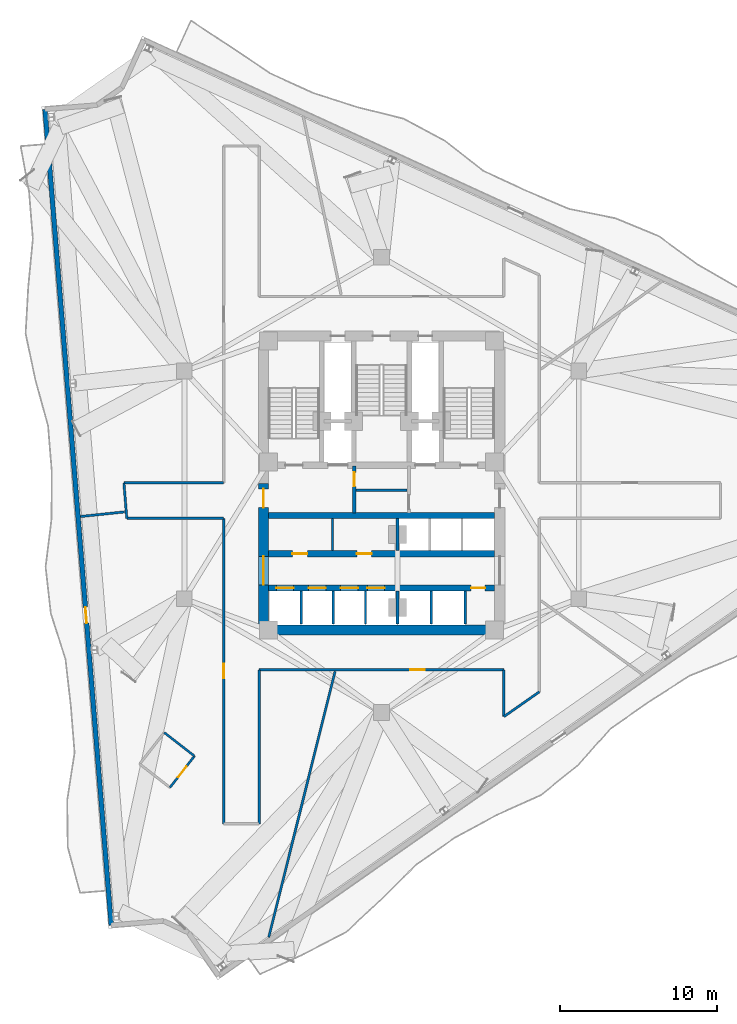
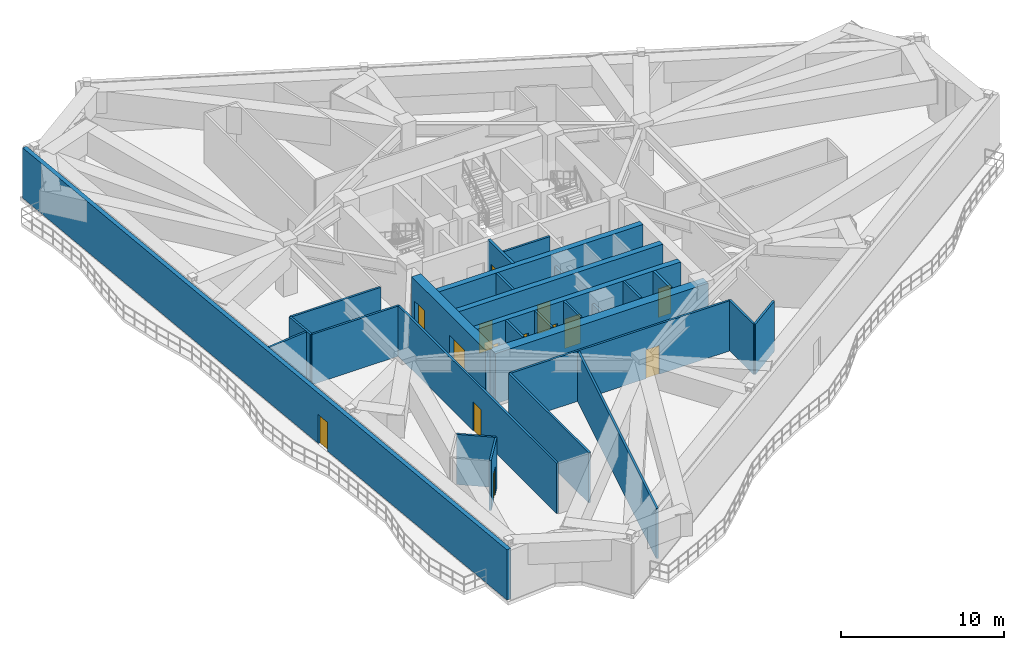
# One storey, part 8 of 14: 28 walls, 14 doors, 14 openings.
"""IFC4 building model written with IfcOpenShell, lengths in metres."""

from ifc_helpers import new_model, si_unit, direction, frame, frame_2d, origin, place, context, subcontext, project, spatial, rectangle, extrude, material, layer, layer_set, type_object, element, fill, save


model = new_model("IFC4")

# Units and contexts
model_context = context("Model", 3, precision=1e-05, world=origin(), true_north=direction((0.0, 1.0)))
body_context = subcontext(model_context, "Body", "Model", "MODEL_VIEW")
ifc_project = project(units=[si_unit("LENGTHUNIT", "METRE"), si_unit("AREAUNIT", "SQUARE_METRE"), si_unit("VOLUMEUNIT", "CUBIC_METRE"), si_unit("PLANEANGLEUNIT", "RADIAN"), si_unit("MASSUNIT", "GRAM", prefix="KILO")], contexts=[model_context])

# Site, building, storey
site_placement = place(None, origin())
site = spatial("IfcSite", under=ifc_project, at=site_placement, CompositionType="ELEMENT")
building_placement = place(site_placement, origin())
building = spatial("IfcBuilding", under=site, at=building_placement, Name="Apsidion Concourse Tower", CompositionType="ELEMENT")
storey_placement = place(building_placement, frame((0.0, 0.0, 222.89990234375)))
storey = spatial("IfcBuildingStorey", under=building, at=storey_placement, Name="L52", CompositionType="ELEMENT", Elevation=222.89990234375)

# Wall, opening, door
ifc_material_1 = material(Name="Precast concrete C40/50", Category="concrete")
ifc_layer_1 = layer(ifc_material_1, 0.300048828125)
ifc_layer_set_1 = layer_set([ifc_layer_1], Name="Precast concrete C40/50")
wall_type_1 = type_object("IfcWallType", Name="WL-EXT-300", PredefinedType="STANDARD", material=ifc_layer_set_1)
wall_1_placement = place(storey_placement, frame((-17.2158203125, -28.039794921875, 0.0), z_axis=(0.0, 0.0, 1.0), x_axis=(-0.080930933538, 0.996719711853, 0.0)))
wall_1 = element("IfcWall", 1, at=wall_1_placement, inside=storey, type_object=wall_type_1, Name="L52 Precast Stone Facade Wall 09", PredefinedType="STANDARD", context=body_context, shape_type="SweptSolid", body=[
    extrude(rectangle(XDim=52.127685546875, YDim=0.300048828125, at=frame_2d((26.06396484375, 0.0))), origin(), (0.0, 0.0, 1.0), 3.75),
])
opening_1_placement = place(wall_1_placement, frame((19.30859375, 0.0, 0.0)))
opening_1 = element("IfcOpeningElement", 2, at=opening_1_placement, cuts=wall_1, Name="Opening D-T1L", PredefinedType="OPENING", context=body_context, shape_type="SweptSolid", body=[
    extrude(rectangle(XDim=1.0, YDim=2.14990234375, at=frame_2d((0.5, 1.074951171875))), frame((0.0, 0.16015625, 0.0), z_axis=(0.0, -1.0, 0.0), x_axis=(1.0, 0.0, 0.0)), (0.0, 0.0, 1.0), 0.320068359375),
])
ifc_material_2 = material(Name="Anodised aluminium EN AW-6063 T6", Category="aluminium")
door_type_1 = type_object("IfcDoorType", Name="DR-TER-1022L", OperationType="SINGLE_SWING_LEFT", PredefinedType="DOOR", material=ifc_material_2)
door_1_placement = place(opening_1_placement, origin())
door_1 = element("IfcDoor", 3, at=door_1_placement, inside=storey, type_object=door_type_1, Name="L52 Balcony Access Door 1", OperationType="SINGLE_SWING_LEFT", OverallHeight=2.14990234375, OverallWidth=1.0, PredefinedType="DOOR", context=body_context, shape_type="SweptSolid", body=[
    extrude(rectangle(XDim=1.0, YDim=2.14990234375, at=frame_2d((0.5, 1.074951171875))), frame((0.0, 0.02490234375, 0.0), z_axis=(0.0, -1.0, 0.0), x_axis=(1.0, 0.0, 0.0)), (0.0, 0.0, 1.0), 0.050048828125),
])
fill(opening_1, door_1)

ifc_material_3 = material(Name="Gypsum plasterboard partition")
ifc_layer_2 = layer(ifc_material_3, 0.139892578125)
ifc_layer_set_2 = layer_set([ifc_layer_2], Name="Gypsum plasterboard partition")
wall_type_2 = type_object("IfcWallType", Name="WL-INT-PAR-140", PredefinedType="PARTITIONING", material=ifc_layer_set_2)
wall_2_placement = place(storey_placement, frame((-13.4755859375, -19.274169921875, 0.0), z_axis=(0.0, 0.0, 1.0), x_axis=(0.614266610483, 0.789098556104, 0.0)))
wall_2 = element("IfcWall", 4, at=wall_2_placement, inside=storey, type_object=wall_type_2, Name="L52 Interior Partition WL-L52-POD-OFAWC-S3", PredefinedType="PARTITIONING", context=body_context, shape_type="SweptSolid", body=[
    extrude(rectangle(XDim=2.5400390625, YDim=0.139892578125, at=frame_2d((1.27001953125, 0.0))), origin(), (0.0, 0.0, 1.0), 3.75),
])
opening_2_placement = place(wall_2_placement, frame((0.830078125, 0.0, 0.0)))
opening_2 = element("IfcOpeningElement", 5, at=opening_2_placement, cuts=wall_2, Name="Opening D-03R", PredefinedType="OPENING", context=body_context, shape_type="SweptSolid", body=[
    extrude(rectangle(XDim=0.8798828125, YDim=2.10009765625, at=frame_2d((0.43994140625, 1.050048828125))), frame((0.0, 0.080078125, 0.0), z_axis=(0.0, -1.0, 0.0), x_axis=(1.0, 0.0, 0.0)), (0.0, 0.0, 1.0), 0.159912109375),
])
door_type_2 = type_object("IfcDoorType", Name="DR-INT-D03R", OperationType="SINGLE_SWING_RIGHT", PredefinedType="DOOR", material=ifc_material_2)
door_2_placement = place(opening_2_placement, origin())
door_2 = element("IfcDoor", 6, at=door_2_placement, inside=storey, type_object=door_type_2, Name="L52 Office Accessible WC Door OFAWC", OperationType="SINGLE_SWING_RIGHT", OverallHeight=2.10009765625, OverallWidth=0.8798828125, PredefinedType="DOOR", context=body_context, shape_type="SweptSolid", body=[
    extrude(rectangle(XDim=0.8798828125, YDim=2.10009765625, at=frame_2d((0.43994140625, 1.050048828125))), frame((0.0, 0.02490234375, 0.0), z_axis=(0.0, -1.0, 0.0), x_axis=(1.0, 0.0, 0.0)), (0.0, 0.0, 1.0), 0.050048828125),
])
fill(opening_2, door_2)

# Walls
wall_3_placement = place(storey_placement, frame((-11.915283203125, -17.269775390625, 0.0), z_axis=(0.0, 0.0, 1.0), x_axis=(-0.789125887798, 0.614231498059, 0.0)))
element("IfcWall", 7, at=wall_3_placement, inside=storey, type_object=wall_type_2, Name="L52 Interior Partition WL-L52-POD-OFAWC-S4", PredefinedType="PARTITIONING", context=body_context, shape_type="SweptSolid", body=[
    extrude(rectangle(XDim=2.440185546875, YDim=0.139892578125, at=frame_2d((1.22021484375, 0.0))), origin(), (0.0, 0.0, 1.0), 3.75),
])
ifc_layer_3 = layer(ifc_material_3, 0.14990234375)
ifc_layer_set_3 = layer_set([ifc_layer_3], Name="Gypsum plasterboard partition")
wall_type_3 = type_object("IfcWallType", Name="WL-INT-PAR-150", PredefinedType="PARTITIONING", material=ifc_layer_set_3)
wall_4_placement = place(storey_placement, frame((-3.1201171875, -4.179931640625, 0.0), z_axis=(0.0, 0.0, 1.0), x_axis=(0.0, 1.0, 0.0)))
element("IfcWall", 8, at=wall_4_placement, inside=storey, type_object=wall_type_3, Name="L52 Interior Partition WL-L52-B1RV1", PredefinedType="PARTITIONING", context=body_context, shape_type="SweptSolid", body=[
    extrude(rectangle(XDim=2.030029296875, YDim=0.14990234375, at=frame_2d((1.01513671875, 0.0))), origin(), (0.0, 0.0, 1.0), 3.75),
])
for number, where, z_axis, x_axis, name in (
    (9, (-5.125, -8.85009765625, 0.0), (0.0, 0.0, 1.0), (0.0, 1.0, 0.0), "L52 Interior Partition WL-L52-B2DIV-1"),
    (10, (-3.074951171875, -8.85009765625, 0.0), (0.0, 0.0, 1.0), (0.0, 1.0, 0.0), "L52 Interior Partition WL-L52-B2DIV-2"),
    (11, (-1.02490234375, -8.85009765625, 0.0), (0.0, 0.0, 1.0), (0.0, 1.0, 0.0), "L52 Interior Partition WL-L52-B2DIV-3"),
    (12, (3.175048828125, -8.85009765625, 0.0), (0.0, 0.0, 1.0), (0.0, 1.0, 0.0), "L52 Interior Partition WL-L52-SHDIV-1"),
):
    element("IfcWall", number, at=place(storey_placement, frame(where, z_axis=z_axis, x_axis=x_axis)), inside=storey, type_object=wall_type_3, Name=name, PredefinedType="PARTITIONING", context=body_context, shape_type="SweptSolid", body=[
        extrude(rectangle(XDim=2.080078125, YDim=0.14990234375, at=frame_2d((1.0400390625, 0.0))), origin(), (0.0, 0.0, 1.0), 3.75),
    ])
wall_5_placement = place(storey_placement, frame((-1.6298828125, -0.35009765625, 0.0), z_axis=(0.0, 0.0, 1.0), x_axis=(1.0, 0.0, 0.0)))
element("IfcWall", 13, at=wall_5_placement, inside=storey, type_object=wall_type_3, Name="L52 Interior Partition WL-L52-K2H", PredefinedType="PARTITIONING", context=body_context, shape_type="SweptSolid", body=[
    extrude(rectangle(XDim=3.259765625, YDim=0.14990234375, at=frame_2d((1.6298828125, 0.0))), origin(), (0.0, 0.0, 1.0), 3.75),
])
wall_6_placement = place(storey_placement, frame((10.050048828125, -13.177490234375, 0.0), z_axis=(0.0, 0.0, 1.0), x_axis=(-0.819144609591, -0.573587054053, 0.0)))
element("IfcWall", 14, at=wall_6_placement, inside=storey, type_object=wall_type_3, Name="L52 Interior Partition WL-L52-CORR-01", PredefinedType="PARTITIONING", context=body_context, shape_type="SweptSolid", body=[
    extrude(rectangle(XDim=2.759033203125, YDim=0.14990234375, at=frame_2d((1.37939453125, 0.0))), origin(), (0.0, 0.0, 1.0), 3.75),
])
wall_7_placement = place(storey_placement, frame((7.7900390625, -14.760009765625, 0.0), z_axis=(0.0, 0.0, 1.0), x_axis=(0.0, 1.0, 0.0)))
element("IfcWall", 15, at=wall_7_placement, inside=storey, type_object=wall_type_3, Name="L52 Interior Partition WL-L52-CORR-02", PredefinedType="PARTITIONING", context=body_context, shape_type="SweptSolid", body=[
    extrude(rectangle(XDim=2.985107421875, YDim=0.14990234375, at=frame_2d((1.49267578125, 0.0))), origin(), (0.0, 0.0, 1.0), 3.75),
])

# Wall, opening, door
wall_8_placement = place(storey_placement, frame((7.7900390625, -11.77490234375, 0.0), z_axis=(0.0, 0.0, 1.0), x_axis=(-1.0, 0.0, 0.0)))
wall_8 = element("IfcWall", 16, at=wall_8_placement, inside=storey, type_object=wall_type_3, Name="L52 Interior Partition WL-L52-CORR-03", PredefinedType="PARTITIONING", context=body_context, shape_type="SweptSolid", body=[
    extrude(rectangle(XDim=15.580078125, YDim=0.14990234375, at=frame_2d((7.7900390625, 0.0))), origin(), (0.0, 0.0, 1.0), 3.75),
])
opening_3_placement = place(wall_8_placement, frame((5.024658203125, 0.0, 0.0)))
opening_3 = element("IfcOpeningElement", 17, at=opening_3_placement, cuts=wall_8, Name="Opening D-01R", PredefinedType="OPENING", context=body_context, shape_type="SweptSolid", body=[
    extrude(rectangle(XDim=0.949951171875, YDim=2.14990234375, at=frame_2d((0.47509765625, 1.074951171875))), frame((0.0, 0.0849609375, 0.0), z_axis=(0.0, -1.0, 0.0), x_axis=(1.0, 0.0, 0.0)), (0.0, 0.0, 1.0), 0.169921875),
])
ifc_material_4 = material(Name="Brushed stainless steel 316", Category="steel")
door_type_3 = type_object("IfcDoorType", Name="DR-INT-D01R", OperationType="SINGLE_SWING_RIGHT", PredefinedType="DOOR", material=ifc_material_4)
door_3_placement = place(opening_3_placement, origin())
door_3 = element("IfcDoor", 18, at=door_3_placement, inside=storey, type_object=door_type_3, Name="L52 Corridor Entry Door 02", OperationType="SINGLE_SWING_RIGHT", OverallHeight=2.14990234375, OverallWidth=0.949951171875, PredefinedType="DOOR", context=body_context, shape_type="SweptSolid", body=[
    extrude(rectangle(XDim=0.949951171875, YDim=2.14990234375, at=frame_2d((0.47509765625, 1.074951171875))), frame((0.0, 0.02490234375, 0.0), z_axis=(0.0, -1.0, 0.0), x_axis=(1.0, 0.0, 0.0)), (0.0, 0.0, 1.0), 0.050048828125),
])
fill(opening_3, door_3)

# Wall
wall_9_placement = place(storey_placement, frame((-7.7900390625, -11.77490234375, 0.0), z_axis=(0.0, 0.0, 1.0), x_axis=(0.0, -1.0, 0.0)))
element("IfcWall", 19, at=wall_9_placement, inside=storey, type_object=wall_type_3, Name="L52 Interior Partition WL-L52-CORR-04", PredefinedType="PARTITIONING", context=body_context, shape_type="SweptSolid", body=[
    extrude(rectangle(XDim=9.80517578125, YDim=0.14990234375, at=frame_2d((4.902587890625, 0.0))), origin(), (0.0, 0.0, 1.0), 3.75),
])

# Wall, opening, door
wall_10_placement = place(storey_placement, frame((-10.050048828125, -21.580078125, 0.0), z_axis=(0.0, 0.0, 1.0), x_axis=(0.0, 1.0, 0.0)))
wall_10 = element("IfcWall", 20, at=wall_10_placement, inside=storey, type_object=wall_type_3, Name="L52 Interior Partition WL-L52-CORR-06", PredefinedType="PARTITIONING", context=body_context, shape_type="SweptSolid", body=[
    extrude(rectangle(XDim=19.4501953125, YDim=0.14990234375, at=frame_2d((9.72509765625, 0.0))), origin(), (0.0, 0.0, 1.0), 3.75),
])
opening_4_placement = place(wall_10_placement, frame((9.25, 0.0, 0.0)))
opening_4 = element("IfcOpeningElement", 21, at=opening_4_placement, cuts=wall_10, Name="Opening D-01L", PredefinedType="OPENING", context=body_context, shape_type="SweptSolid", body=[
    extrude(rectangle(XDim=0.949951171875, YDim=2.14990234375, at=frame_2d((0.47509765625, 1.074951171875))), frame((0.0, 0.0849609375, 0.0), z_axis=(0.0, -1.0, 0.0), x_axis=(1.0, 0.0, 0.0)), (0.0, 0.0, 1.0), 0.169921875),
])
door_type_4 = type_object("IfcDoorType", Name="DR-INT-D01L", OperationType="SINGLE_SWING_LEFT", PredefinedType="DOOR", material=ifc_material_4)
door_4_placement = place(opening_4_placement, origin())
door_4 = element("IfcDoor", 22, at=door_4_placement, inside=storey, type_object=door_type_4, Name="L52 Corridor Entry Door 01", OperationType="SINGLE_SWING_LEFT", OverallHeight=2.14990234375, OverallWidth=0.949951171875, PredefinedType="DOOR", context=body_context, shape_type="SweptSolid", body=[
    extrude(rectangle(XDim=0.949951171875, YDim=2.14990234375, at=frame_2d((0.47509765625, 1.074951171875))), frame((0.0, 0.02490234375, 0.0), z_axis=(0.0, -1.0, 0.0), x_axis=(1.0, 0.0, 0.0)), (0.0, 0.0, 1.0), 0.050048828125),
])
fill(opening_4, door_4)

# Walls
wall_11_placement = place(storey_placement, frame((-10.050048828125, -2.1298828125, 0.0), z_axis=(0.0, 0.0, 1.0), x_axis=(-1.0, 0.0, 0.0)))
element("IfcWall", 23, at=wall_11_placement, inside=storey, type_object=wall_type_3, Name="L52 Interior Partition WL-L52-CORR-07", PredefinedType="PARTITIONING", context=body_context, shape_type="SweptSolid", body=[
    extrude(rectangle(XDim=6.17431640625, YDim=0.14990234375, at=frame_2d((3.087158203125, 0.0))), origin(), (0.0, 0.0, 1.0), 3.75),
])
wall_12_placement = place(storey_placement, frame((-16.224365234375, -2.1298828125, 0.0), z_axis=(0.0, 0.0, 1.0), x_axis=(-0.080977783256, 0.996715906675, 0.0)))
element("IfcWall", 24, at=wall_12_placement, inside=storey, type_object=wall_type_3, Name="L52 Interior Partition WL-L52-CORR-08", PredefinedType="PARTITIONING", context=body_context, shape_type="SweptSolid", body=[
    extrude(rectangle(XDim=2.26708984375, YDim=0.14990234375, at=frame_2d((1.133544921875, 0.0))), origin(), (0.0, 0.0, 1.0), 3.75),
])
wall_13_placement = place(storey_placement, frame((-16.407958984375, 0.1298828125, 0.0), z_axis=(0.0, 0.0, 1.0), x_axis=(1.0, 0.0, 0.0)))
element("IfcWall", 25, at=wall_13_placement, inside=storey, type_object=wall_type_3, Name="L52 Interior Partition WL-L52-CORR-09", PredefinedType="PARTITIONING", context=body_context, shape_type="SweptSolid", body=[
    extrude(rectangle(XDim=6.35791015625, YDim=0.14990234375, at=frame_2d((3.178955078125, 0.0))), origin(), (0.0, 0.0, 1.0), 3.75),
])
wall_14_placement = place(storey_placement, frame((-16.363037109375, -1.7197265625, 0.0), z_axis=(0.0, 0.0, 1.0), x_axis=(-0.994518746584, -0.104558417608, 0.0)))
element("IfcWall", 26, at=wall_14_placement, inside=storey, type_object=wall_type_3, Name="L52 Interior Partition WL-L52-RAD-03-1", PredefinedType="PARTITIONING", context=body_context, shape_type="SweptSolid", body=[
    extrude(rectangle(XDim=2.81591796875, YDim=0.14990234375, at=frame_2d((1.407958984375, 0.0))), origin(), (0.0, 0.0, 1.0), 3.75),
])
wall_15_placement = place(storey_placement, frame((-2.9619140625, -11.8798828125, 0.0), z_axis=(0.0, 0.0, 1.0), x_axis=(-0.241929751203, -0.97029376762, 0.0)))
element("IfcWall", 27, at=wall_15_placement, inside=storey, type_object=wall_type_3, Name="L52 Interior Partition WL-L52-RAD-04-1", PredefinedType="PARTITIONING", context=body_context, shape_type="SweptSolid", body=[
    extrude(rectangle(XDim=17.447021484375, YDim=0.14990234375, at=frame_2d((8.7236328125, 0.0))), origin(), (0.0, 0.0, 1.0), 3.75),
])
ifc_layer_4 = layer(ifc_material_3, 0.179931640625)
ifc_layer_set_4 = layer_set([ifc_layer_4], Name="Gypsum plasterboard partition")
wall_type_4 = type_object("IfcWallType", Name="WL-INT-PAR-180", PredefinedType="PARTITIONING", material=ifc_layer_set_4)
wall_16_placement = place(storey_placement, frame((1.02490234375, -4.179931640625, 0.0), z_axis=(0.0, 0.0, 1.0), x_axis=(0.0, 1.0, 0.0)))
element("IfcWall", 28, at=wall_16_placement, inside=storey, type_object=wall_type_4, Name="L52 Interior Partition WL-L52-B1END", PredefinedType="PARTITIONING", context=body_context, shape_type="SweptSolid", body=[
    extrude(rectangle(XDim=2.030029296875, YDim=0.179931640625, at=frame_2d((1.01513671875, 0.0))), origin(), (0.0, 0.0, 1.0), 2.798095703125),
])
wall_17_placement = place(storey_placement, frame((1.02490234375, -8.85009765625, 0.0), z_axis=(0.0, 0.0, 1.0), x_axis=(0.0, 1.0, 0.0)))
element("IfcWall", 29, at=wall_17_placement, inside=storey, type_object=wall_type_4, Name="L52 Interior Partition WL-L52-B2END", PredefinedType="PARTITIONING", context=body_context, shape_type="SweptSolid", body=[
    extrude(rectangle(XDim=2.080078125, YDim=0.179931640625, at=frame_2d((1.0400390625, 0.0))), origin(), (0.0, 0.0, 1.0), 2.798095703125),
])
wall_18_placement = place(storey_placement, frame((5.324951171875, -8.85009765625, 0.0), z_axis=(0.0, 0.0, 1.0), x_axis=(0.0, 1.0, 0.0)))
element("IfcWall", 30, at=wall_18_placement, inside=storey, type_object=wall_type_4, Name="L52 Interior Partition WL-L52-SHDIV-2", PredefinedType="PARTITIONING", context=body_context, shape_type="SweptSolid", body=[
    extrude(rectangle(XDim=2.080078125, YDim=0.179931640625, at=frame_2d((1.0400390625, 0.0))), origin(), (0.0, 0.0, 1.0), 3.75),
])

# Wall, opening, door
ifc_layer_5 = layer(ifc_material_3, 0.199951171875)
ifc_layer_set_5 = layer_set([ifc_layer_5], Name="Gypsum plasterboard partition")
wall_type_5 = type_object("IfcWallType", Name="WL-INT-PAR-200", PredefinedType="PARTITIONING", material=ifc_layer_set_5)
wall_19_placement = place(storey_placement, frame((-1.739990234375, -1.780029296875, 0.0), z_axis=(0.0, 0.0, 1.0), x_axis=(0.0, 1.0, 0.0)))
wall_19 = element("IfcWall", 31, at=wall_19_placement, inside=storey, type_object=wall_type_5, Name="L52 Interior Partition WL-L52-FF1-E", PredefinedType="PARTITIONING", context=body_context, shape_type="SweptSolid", body=[
    extrude(rectangle(XDim=2.97998046875, YDim=0.199951171875, at=frame_2d((1.489990234375, 0.0))), origin(), (0.0, 0.0, 1.0), 3.75),
])
opening_5_placement = place(wall_19_placement, frame((1.68994140625, 0.0, 0.0)))
opening_5 = element("IfcOpeningElement", 32, at=opening_5_placement, cuts=wall_19, Name="Opening D-05L", PredefinedType="OPENING", context=body_context, shape_type="SweptSolid", body=[
    extrude(rectangle(XDim=0.8798828125, YDim=2.14990234375, at=frame_2d((0.43994140625, 1.074951171875))), frame((0.0, 0.10986328125, 0.0), z_axis=(0.0, -1.0, 0.0), x_axis=(1.0, 0.0, 0.0)), (0.0, 0.0, 1.0), 0.219970703125),
])
door_type_5 = type_object("IfcDoorType", Name="DR-INT-D05L", OperationType="SINGLE_SWING_LEFT", PredefinedType="DOOR", material=ifc_material_4)
door_5_placement = place(opening_5_placement, origin())
door_5 = element("IfcDoor", 33, at=door_5_placement, inside=storey, type_object=door_type_5, Name="L52 Core Staff WC Door", OperationType="SINGLE_SWING_LEFT", OverallHeight=2.14990234375, OverallWidth=0.8798828125, PredefinedType="DOOR", context=body_context, shape_type="SweptSolid", body=[
    extrude(rectangle(XDim=0.8798828125, YDim=2.14990234375, at=frame_2d((0.43994140625, 1.074951171875))), frame((0.0, 0.02490234375, 0.0), z_axis=(0.0, -1.0, 0.0), x_axis=(1.0, 0.0, 0.0)), (0.0, 0.0, 1.0), 0.050048828125),
])
fill(opening_5, door_5)

# Wall
ifc_material_5 = material(Name="Concrete C50/60", Category="concrete")
ifc_layer_6 = layer(ifc_material_5, 0.39990234375)
ifc_layer_set_6 = layer_set([ifc_layer_6], Name="Concrete C50/60")
wall_type_6 = type_object("IfcWallType", Name="WL-SH-400", PredefinedType="SHEAR", material=ifc_layer_set_6)
wall_20_placement = place(storey_placement, frame((-7.199951171875, -1.949951171875, 0.0), z_axis=(0.0, 0.0, 1.0), x_axis=(1.0, 0.0, 0.0)))
element("IfcWall", 34, at=wall_20_placement, inside=storey, type_object=wall_type_6, Name="L52 Central Core Shear Wall M2", PredefinedType="SHEAR", context=body_context, shape_type="SweptSolid", body=[
    extrude(rectangle(XDim=14.39990234375, YDim=0.39990234375, at=frame_2d((7.199951171875, 0.0))), origin(), (0.0, 0.0, 1.0), 3.75),
])

# Wall, openings, doors
wall_21_placement = place(storey_placement, frame((-7.199951171875, -4.3798828125, 0.0), z_axis=(0.0, 0.0, 1.0), x_axis=(1.0, 0.0, 0.0)))
wall_21 = element("IfcWall", 35, at=wall_21_placement, inside=storey, type_object=wall_type_6, Name="L52 Central Core Shear Wall LA", PredefinedType="SHEAR", context=body_context, shape_type="SweptSolid", body=[
    extrude(rectangle(XDim=14.39990234375, YDim=0.39990234375, at=frame_2d((7.199951171875, 0.0))), origin(), (0.0, 0.0, 1.0), 3.75),
])
opening_6_placement = place(wall_21_placement, frame((1.52490234375, 0.0, 0.0)))
opening_6 = element("IfcOpeningElement", 36, at=opening_6_placement, cuts=wall_21, Name="Opening D-04L", PredefinedType="OPENING", context=body_context, shape_type="SweptSolid", body=[
    extrude(rectangle(XDim=0.949951171875, YDim=2.14990234375, at=frame_2d((0.47509765625, 1.074951171875))), frame((0.0, 0.2099609375, 0.0), z_axis=(0.0, -1.0, 0.0), x_axis=(1.0, 0.0, 0.0)), (0.0, 0.0, 1.0), 0.419921875),
])
opening_7_placement = place(wall_21_placement, frame((5.625, 0.0, 0.0)))
opening_7 = element("IfcOpeningElement", 37, at=opening_7_placement, cuts=wall_21, Name="Opening D-04R", PredefinedType="OPENING", context=body_context, shape_type="SweptSolid", body=[
    extrude(rectangle(XDim=0.949951171875, YDim=2.14990234375, at=frame_2d((0.47509765625, 1.074951171875))), frame((0.0, 0.2099609375, 0.0), z_axis=(0.0, -1.0, 0.0), x_axis=(1.0, 0.0, 0.0)), (0.0, 0.0, 1.0), 0.419921875),
])
door_type_6 = type_object("IfcDoorType", Name="DR-INT-D04L", OperationType="SINGLE_SWING_LEFT", PredefinedType="DOOR", material=ifc_material_4)
door_6_placement = place(opening_6_placement, origin())
door_6 = element("IfcDoor", 38, at=door_6_placement, inside=storey, type_object=door_type_6, Name="L52 Tenant Archive Room West Door", OperationType="SINGLE_SWING_LEFT", OverallHeight=2.14990234375, OverallWidth=0.949951171875, PredefinedType="DOOR", context=body_context, shape_type="SweptSolid", body=[
    extrude(rectangle(XDim=0.949951171875, YDim=2.14990234375, at=frame_2d((0.47509765625, 1.074951171875))), frame((0.0, 0.02490234375, 0.0), z_axis=(0.0, -1.0, 0.0), x_axis=(1.0, 0.0, 0.0)), (0.0, 0.0, 1.0), 0.050048828125),
])
fill(opening_6, door_6)
door_type_7 = type_object("IfcDoorType", Name="DR-INT-D04R", OperationType="SINGLE_SWING_RIGHT", PredefinedType="DOOR", material=ifc_material_4)
door_7_placement = place(opening_7_placement, origin())
door_7 = element("IfcDoor", 39, at=door_7_placement, inside=storey, type_object=door_type_7, Name="L52 Core Print and Copy Room Door", OperationType="SINGLE_SWING_RIGHT", OverallHeight=2.14990234375, OverallWidth=0.949951171875, PredefinedType="DOOR", context=body_context, shape_type="SweptSolid", body=[
    extrude(rectangle(XDim=0.949951171875, YDim=2.14990234375, at=frame_2d((0.47509765625, 1.074951171875))), frame((0.0, 0.02490234375, 0.0), z_axis=(0.0, -1.0, 0.0), x_axis=(1.0, 0.0, 0.0)), (0.0, 0.0, 1.0), 0.050048828125),
])
fill(opening_7, door_7)

wall_22_placement = place(storey_placement, frame((-7.199951171875, -6.570068359375, 0.0), z_axis=(0.0, 0.0, 1.0), x_axis=(1.0, 0.0, 0.0)))
wall_22 = element("IfcWall", 40, at=wall_22_placement, inside=storey, type_object=wall_type_6, Name="L52 Central Core Shear Wall LB", PredefinedType="SHEAR", context=body_context, shape_type="SweptSolid", body=[
    extrude(rectangle(XDim=14.39990234375, YDim=0.39990234375, at=frame_2d((7.199951171875, 0.0))), origin(), (0.0, 0.0, 1.0), 3.75),
])
opening_8_placement = place(wall_22_placement, frame((0.5, 0.0, 0.0)))
opening_8 = element("IfcOpeningElement", 41, at=opening_8_placement, cuts=wall_22, Name="Opening LD-P1", PredefinedType="OPENING", context=body_context, shape_type="SweptSolid", body=[
    extrude(rectangle(XDim=1.10009765625, YDim=2.199951171875, at=frame_2d((0.550048828125, 1.10009765625))), frame((0.0, 0.2099609375, 0.0), z_axis=(0.0, -1.0, 0.0), x_axis=(1.0, 0.0, 0.0)), (0.0, 0.0, 1.0), 0.419921875),
])
opening_9_placement = place(wall_22_placement, frame((2.550048828125, 0.0, 0.0)))
opening_9 = element("IfcOpeningElement", 42, at=opening_9_placement, cuts=wall_22, Name="Opening LD-P1", PredefinedType="OPENING", context=body_context, shape_type="SweptSolid", body=[
    extrude(rectangle(XDim=1.10009765625, YDim=2.199951171875, at=frame_2d((0.550048828125, 1.10009765625))), frame((0.0, 0.2099609375, 0.0), z_axis=(0.0, -1.0, 0.0), x_axis=(1.0, 0.0, 0.0)), (0.0, 0.0, 1.0), 0.419921875),
])
opening_10_placement = place(wall_22_placement, frame((4.60009765625, 0.0, 0.0)))
opening_10 = element("IfcOpeningElement", 43, at=opening_10_placement, cuts=wall_22, Name="Opening LD-P1", PredefinedType="OPENING", context=body_context, shape_type="SweptSolid", body=[
    extrude(rectangle(XDim=1.10009765625, YDim=2.199951171875, at=frame_2d((0.550048828125, 1.10009765625))), frame((0.0, 0.2099609375, 0.0), z_axis=(0.0, -1.0, 0.0), x_axis=(1.0, 0.0, 0.0)), (0.0, 0.0, 1.0), 0.419921875),
])
opening_11_placement = place(wall_22_placement, frame((6.300048828125, 0.0, 0.0)))
opening_11 = element("IfcOpeningElement", 44, at=opening_11_placement, cuts=wall_22, Name="Opening LD-P1", PredefinedType="OPENING", context=body_context, shape_type="SweptSolid", body=[
    extrude(rectangle(XDim=1.10009765625, YDim=2.199951171875, at=frame_2d((0.550048828125, 1.10009765625))), frame((0.0, 0.2099609375, 0.0), z_axis=(0.0, -1.0, 0.0), x_axis=(1.0, 0.0, 0.0)), (0.0, 0.0, 1.0), 0.419921875),
])
opening_12_placement = place(wall_22_placement, frame((12.909912109375, 0.0, 0.0)))
opening_12 = element("IfcOpeningElement", 45, at=opening_12_placement, cuts=wall_22, Name="Opening D-05L", PredefinedType="OPENING", context=body_context, shape_type="SweptSolid", body=[
    extrude(rectangle(XDim=0.8798828125, YDim=2.14990234375, at=frame_2d((0.43994140625, 1.074951171875))), frame((0.0, 0.2099609375, 0.0), z_axis=(0.0, -1.0, 0.0), x_axis=(1.0, 0.0, 0.0)), (0.0, 0.0, 1.0), 0.419921875),
])
door_8_placement = place(opening_12_placement, origin())
door_8 = element("IfcDoor", 46, at=door_8_placement, inside=storey, type_object=door_type_5, Name="L52 Cleaners Store Door", OperationType="SINGLE_SWING_LEFT", OverallHeight=2.14990234375, OverallWidth=0.8798828125, PredefinedType="DOOR", context=body_context, shape_type="SweptSolid", body=[
    extrude(rectangle(XDim=0.8798828125, YDim=2.14990234375, at=frame_2d((0.43994140625, 1.074951171875))), frame((0.0, 0.02490234375, 0.0), z_axis=(0.0, -1.0, 0.0), x_axis=(1.0, 0.0, 0.0)), (0.0, 0.0, 1.0), 0.050048828125),
])
fill(opening_12, door_8)
door_type_8 = type_object("IfcDoorType", Name="DR-LD-PASS", OperationType="DOUBLE_DOOR_SLIDING", PredefinedType="DOOR", material=ifc_material_4)
door_9_placement = place(opening_8_placement, origin())
door_9 = element("IfcDoor", 47, at=door_9_placement, inside=storey, type_object=door_type_8, Name="L52 Lift Landing Door P5", OperationType="DOUBLE_DOOR_SLIDING", OverallHeight=2.199951171875, OverallWidth=1.10009765625, PredefinedType="DOOR", context=body_context, shape_type="SweptSolid", body=[
    extrude(rectangle(XDim=1.10009765625, YDim=2.199951171875, at=frame_2d((0.550048828125, 1.10009765625))), frame((0.0, 0.02490234375, 0.0), z_axis=(0.0, -1.0, 0.0), x_axis=(1.0, 0.0, 0.0)), (0.0, 0.0, 1.0), 0.050048828125),
])
fill(opening_8, door_9)
door_10_placement = place(opening_9_placement, origin())
door_10 = element("IfcDoor", 48, at=door_10_placement, inside=storey, type_object=door_type_8, Name="L52 Lift Landing Door P6", OperationType="DOUBLE_DOOR_SLIDING", OverallHeight=2.199951171875, OverallWidth=1.10009765625, PredefinedType="DOOR", context=body_context, shape_type="SweptSolid", body=[
    extrude(rectangle(XDim=1.10009765625, YDim=2.199951171875, at=frame_2d((0.550048828125, 1.10009765625))), frame((0.0, 0.02490234375, 0.0), z_axis=(0.0, -1.0, 0.0), x_axis=(1.0, 0.0, 0.0)), (0.0, 0.0, 1.0), 0.050048828125),
])
fill(opening_9, door_10)
door_11_placement = place(opening_10_placement, origin())
door_11 = element("IfcDoor", 49, at=door_11_placement, inside=storey, type_object=door_type_8, Name="L52 Lift Landing Door P7", OperationType="DOUBLE_DOOR_SLIDING", OverallHeight=2.199951171875, OverallWidth=1.10009765625, PredefinedType="DOOR", context=body_context, shape_type="SweptSolid", body=[
    extrude(rectangle(XDim=1.10009765625, YDim=2.199951171875, at=frame_2d((0.550048828125, 1.10009765625))), frame((0.0, 0.02490234375, 0.0), z_axis=(0.0, -1.0, 0.0), x_axis=(1.0, 0.0, 0.0)), (0.0, 0.0, 1.0), 0.050048828125),
])
fill(opening_10, door_11)
door_12_placement = place(opening_11_placement, origin())
door_12 = element("IfcDoor", 50, at=door_12_placement, inside=storey, type_object=door_type_8, Name="L52 Lift Landing Door P8", OperationType="DOUBLE_DOOR_SLIDING", OverallHeight=2.199951171875, OverallWidth=1.10009765625, PredefinedType="DOOR", context=body_context, shape_type="SweptSolid", body=[
    extrude(rectangle(XDim=1.10009765625, YDim=2.199951171875, at=frame_2d((0.550048828125, 1.10009765625))), frame((0.0, 0.02490234375, 0.0), z_axis=(0.0, -1.0, 0.0), x_axis=(1.0, 0.0, 0.0)), (0.0, 0.0, 1.0), 0.050048828125),
])
fill(opening_11, door_12)

ifc_layer_7 = layer(ifc_material_5, 0.64990234375)
ifc_layer_set_7 = layer_set([ifc_layer_7], Name="Concrete C50/60")
wall_type_7 = type_object("IfcWallType", Name="WL-SH-650", PredefinedType="SHEAR", material=ifc_layer_set_7)
wall_23_placement = place(storey_placement, frame((-7.52490234375, -8.925048828125, 0.0), z_axis=(0.0, 0.0, 1.0), x_axis=(0.0, 1.0, 0.0)))
wall_23 = element("IfcWall", 51, at=wall_23_placement, inside=storey, type_object=wall_type_7, Name="L52 Central Core Shear Wall WS", PredefinedType="SHEAR", context=body_context, shape_type="SweptSolid", body=[
    extrude(rectangle(XDim=9.025146484375, YDim=0.64990234375, at=frame_2d((4.5126953125, 0.0))), origin(), (0.0, 0.0, 1.0), 3.75),
])
opening_13_placement = place(wall_23_placement, frame((2.56494140625, 0.0, 0.0)))
opening_13 = element("IfcOpeningElement", 52, at=opening_13_placement, cuts=wall_23, Name="Opening D-06D", PredefinedType="OPENING", context=body_context, shape_type="SweptSolid", body=[
    extrude(rectangle(XDim=1.800048828125, YDim=2.199951171875, at=frame_2d((0.89990234375, 1.10009765625))), frame((0.0, 0.3349609375, 0.0), z_axis=(0.0, -1.0, 0.0), x_axis=(1.0, 0.0, 0.0)), (0.0, 0.0, 1.0), 0.669921875),
])
opening_14_placement = place(wall_23_placement, frame((7.47509765625, 0.0, 0.0)))
opening_14 = element("IfcOpeningElement", 53, at=opening_14_placement, cuts=wall_23, Name="Opening D-FFL", PredefinedType="OPENING", context=body_context, shape_type="SweptSolid", body=[
    extrude(rectangle(XDim=1.199951171875, YDim=2.14990234375, at=frame_2d((0.60009765625, 1.074951171875))), frame((0.0, 0.3349609375, 0.0), z_axis=(0.0, -1.0, 0.0), x_axis=(1.0, 0.0, 0.0)), (0.0, 0.0, 1.0), 0.669921875),
])
door_type_9 = type_object("IfcDoorType", Name="DR-INT-D06D", OperationType="DOUBLE_DOOR_SINGLE_SWING", PredefinedType="DOOR", material=ifc_material_4)
door_13_placement = place(opening_13_placement, origin())
door_13 = element("IfcDoor", 54, at=door_13_placement, inside=storey, type_object=door_type_9, Name="L52 Passenger Lift Lobby WS Portal Door", OperationType="DOUBLE_DOOR_SINGLE_SWING", OverallHeight=2.199951171875, OverallWidth=1.800048828125, PredefinedType="DOOR", context=body_context, shape_type="SweptSolid", body=[
    extrude(rectangle(XDim=1.800048828125, YDim=2.199951171875, at=frame_2d((0.89990234375, 1.10009765625))), frame((0.0, 0.02490234375, 0.0), z_axis=(0.0, -1.0, 0.0), x_axis=(1.0, 0.0, 0.0)), (0.0, 0.0, 1.0), 0.050048828125),
])
fill(opening_13, door_13)
door_type_10 = type_object("IfcDoorType", Name="DR-INT-FFL", OperationType="SINGLE_SWING_LEFT", PredefinedType="DOOR", material=ifc_material_4)
door_14_placement = place(opening_14_placement, origin())
door_14 = element("IfcDoor", 55, at=door_14_placement, inside=storey, type_object=door_type_10, Name="L52 Firefighting Lift Lobby FF1 Door", OperationType="SINGLE_SWING_LEFT", OverallHeight=2.14990234375, OverallWidth=1.199951171875, PredefinedType="DOOR", context=body_context, shape_type="SweptSolid", body=[
    extrude(rectangle(XDim=1.199951171875, YDim=2.14990234375, at=frame_2d((0.60009765625, 1.074951171875))), frame((0.0, 0.02490234375, 0.0), z_axis=(0.0, -1.0, 0.0), x_axis=(1.0, 0.0, 0.0)), (0.0, 0.0, 1.0), 0.050048828125),
])
fill(opening_14, door_14)

# Wall
wall_24_placement = place(storey_placement, frame((-7.52490234375, -9.25, 0.0), z_axis=(0.0, 0.0, 1.0), x_axis=(1.0, 0.0, 0.0)))
element("IfcWall", 56, at=wall_24_placement, inside=storey, type_object=wall_type_7, Name="L52 Central Core Shear Wall S", PredefinedType="SHEAR", context=body_context, shape_type="SweptSolid", body=[
    extrude(rectangle(XDim=15.0498046875, YDim=0.64990234375, at=frame_2d((7.52490234375, 0.0))), origin(), (0.0, 0.0, 1.0), 3.75),
])

save(model, "model.ifc")
